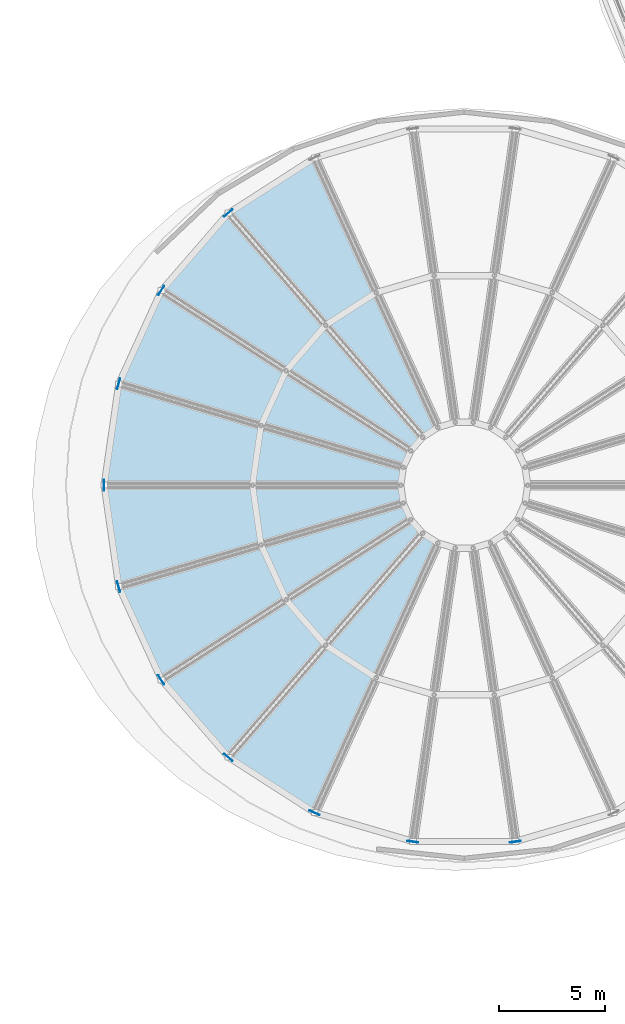
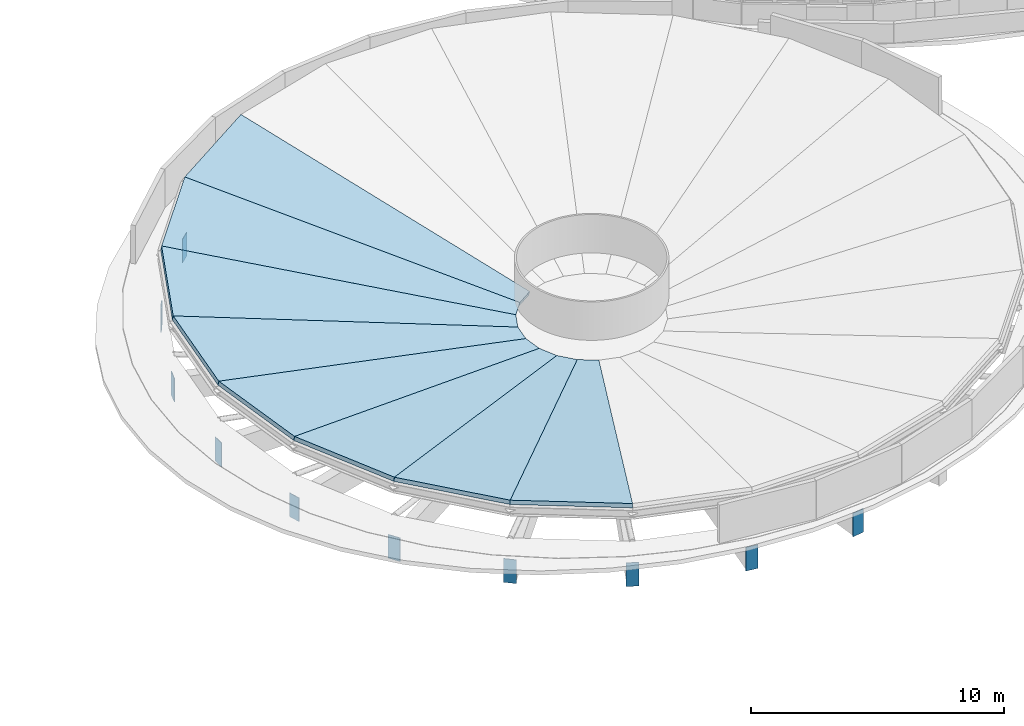
# One storey, part 37 of 69: 10 plates, 8 slabs.
"""IFC4 building model written with IfcOpenShell, lengths in metres."""

from ifc_helpers import new_model, si_unit, direction, frame, origin, origin_2d, place, context, subcontext, project, spatial, polyline, rectangle, outline, extrude, material, layer, layer_set, type_object, element, save


model = new_model("IFC4")

# Units and contexts
model_context = context("Model", 3, precision=1e-05, world=origin(), true_north=direction((0.0, 1.0)))
body_context = subcontext(model_context, "Body", "Model", "MODEL_VIEW")
ifc_project = project(units=[si_unit("LENGTHUNIT", "METRE"), si_unit("AREAUNIT", "SQUARE_METRE"), si_unit("VOLUMEUNIT", "CUBIC_METRE"), si_unit("PLANEANGLEUNIT", "RADIAN"), si_unit("MASSUNIT", "GRAM", prefix="KILO")], contexts=[model_context])

# Site, building, storey
site_placement = place(None, origin())
site = spatial("IfcSite", under=ifc_project, at=site_placement, CompositionType="ELEMENT")
building_placement = place(site_placement, origin())
building = spatial("IfcBuilding", under=site, at=building_placement, Name="Pelvatis Terrace Science Centre", CompositionType="ELEMENT")
storey_placement = place(building_placement, frame((0.0, 0.0, 15.0)))
storey = spatial("IfcBuildingStorey", under=building, at=storey_placement, Name="L03", CompositionType="ELEMENT", Elevation=15.0)

# Plates
ifc_material_1 = material(Name="Structural steel S355", Category="steel")
ifc_layer_1 = layer(ifc_material_1, 1.139892578125)
ifc_layer_set_1 = layer_set([ifc_layer_1], Name="Structural steel S355")
plate_type = type_object("IfcPlateType", Name="PLT-CAP-BOX1100", PredefinedType="USERDEFINED", material=ifc_layer_set_1)
for number, where, z_axis, x_axis, name in (
    (1, (60.988037109375, 54.60009765625, -2.1201171875), (0.0, 0.0, 1.0), (-1.0, 0.0, 0.0), "Hollow box girder end cap plate 038"),
    (2, (61.677001953125, 49.80712890625, -2.1201171875), (0.0, 0.0, 1.0), (-0.959510852267, -0.281671660596, 0.0), "Hollow box girder end cap plate 040"),
    (3, (63.688720703125, 45.402587890625, -2.1201171875), (0.0, 0.0, 1.0), (-0.841227797435, -0.540680860418, 0.0), "Hollow box girder end cap plate 042"),
    (4, (66.859619140625, 41.7431640625, -2.1201171875), (0.0, 0.0, 1.0), (-0.654872725061, -0.755739183826, 0.0), "Hollow box girder end cap plate 044"),
    (5, (70.932861328125, 39.12548828125, -2.1201171875), (0.0, 0.0, 1.0), (-0.415487175664, -0.909599036311, 0.0), "Hollow box girder end cap plate 046"),
    (6, (75.578857421875, 37.760986328125, -2.1201171875), (0.0, 0.0, 1.0), (-0.142283427941, -0.989825957496, 0.0), "Hollow box girder end cap plate 048"),
    (7, (80.421142578125, 37.760986328125, -2.1201171875), (0.0, 0.0, 1.0), (0.142283427941, -0.989825957496, 0.0), "Hollow box girder end cap plate 050"),
    (8, (66.859619140625, 67.456787109375, -2.1201171875), (0.0, 0.0, 1.0), (0.654872725061, -0.755739183826, 0.0), "Hollow box girder end cap plate 053"),
    (9, (63.688720703125, 63.79736328125, -2.1201171875), (0.0, 0.0, 1.0), (0.841227797435, -0.540680860418, 0.0), "Hollow box girder end cap plate 055"),
    (10, (61.677001953125, 59.392822265625, -2.1201171875), (0.0, 0.0, 1.0), (0.959510852267, -0.281671660596, 0.0), "Hollow box girder end cap plate 057"),
):
    element("IfcPlate", number, at=place(storey_placement, frame(where, z_axis=z_axis, x_axis=x_axis)), inside=storey, type_object=plate_type, Name=name, ObjectType="CAP PLATE", PredefinedType="USERDEFINED", context=body_context, shape_type="SweptSolid", body=[
        extrude(rectangle(XDim=0.031982421875, YDim=0.52001953125, at=origin_2d()), origin(), (0.0, 0.0, 1.0), 1.139892578125),
    ])

# Slabs
ifc_material_2 = material(Name="Concrete C35/45", Category="concrete")
ifc_layer_2 = layer(ifc_material_2, 0.18505859375)
ifc_layer_set_2 = layer_set([ifc_layer_2], Name="Concrete C35/45")
slab_type = type_object("IfcSlabType", Name="SLB-BOWL-185", PredefinedType="ROOF", material=ifc_layer_set_2)
slab_1_placement = place(storey_placement, frame((70.93798828125, 70.063720703125, 1.85009765625), z_axis=(0.10884023815, -0.16936459714, 0.979525107282), x_axis=(-0.841255782837, -0.540637316357, -2.39048e-06)))
element("IfcSlab", 11, at=slab_1_placement, inside=storey, type_object=slab_type, Name="Shallow closed bowl roof sector 08", PredefinedType="ROOF", context=body_context, shape_type="SweptSolid", body=[
    extrude(outline(polyline([(0.0, 0.0), (4.838668582032592, 0.0), (2.846317690067832, 14.147172921544419), (1.992274493261145, 14.147240516284777), (0.0, 0.0)])), origin(), (0.0, 0.0, -1.0), 0.18505859375),
])
slab_2_placement = place(storey_placement, frame((66.867431640625, 67.44775390625, 1.85009765625), z_axis=(0.152147664185, -0.131839435017, 0.979525115379), x_axis=(-0.654874572609, -0.75573758286, 1.654486e-06)))
element("IfcSlab", 12, at=slab_2_placement, inside=storey, type_object=slab_type, Name="Shallow closed bowl roof sector 09", PredefinedType="ROOF", context=body_context, shape_type="SweptSolid", body=[
    extrude(outline(polyline([(0.0, 0.0), (4.838636375481672, 0.0), (2.846035966047201, 14.147232875373938), (1.9922573520886493, 14.147186094482315), (0.0, 0.0)])), origin(), (0.0, 0.0, -1.0), 0.18505859375),
])
slab_3_placement = place(storey_placement, frame((63.69873046875, 63.791015625, 1.85009765625), z_axis=(0.183130574926, -0.083630492632, 0.979524952836), x_axis=(-0.415391838368, -0.909642578494, -2.971623e-06)))
element("IfcSlab", 13, at=slab_3_placement, inside=storey, type_object=slab_type, Name="Shallow closed bowl roof sector 10", PredefinedType="ROOF", context=body_context, shape_type="SweptSolid", body=[
    extrude(outline(polyline([(0.0, 0.0), (4.8388347297227154, 0.0), (2.846656063627898, 14.14711189592573), (1.9928627571492017, 14.147195921904757), (0.0, 0.0)])), origin(), (0.0, 0.0, -1.0), 0.18505859375),
])
slab_4_placement = place(storey_placement, frame((61.688720703125, 59.389404296875, 1.85009765625), z_axis=(0.199273015171, -0.028657530108, 0.979524890645), x_axis=(-0.142339872814, -0.989817842133, -1.264876e-06)))
element("IfcSlab", 14, at=slab_4_placement, inside=storey, type_object=slab_type, Name="Shallow closed bowl roof sector 11", PredefinedType="ROOF", context=body_context, shape_type="SweptSolid", body=[
    extrude(outline(polyline([(0.0, 0.0), (4.838573581625961, 1.1102230246251565e-16), (2.845818964784767, 14.147114769729844), (1.9919042611403994, 14.147150534581645), (0.0, 0.0)])), origin(), (0.0, 0.0, -1.0), 0.18505859375),
])
slab_5_placement = place(storey_placement, frame((61.0, 54.60009765625, 1.85009765625), z_axis=(0.199272950337, 0.028656279123, 0.979524940433), x_axis=(0.142332807449, -0.989818858136, 1.477257e-06)))
element("IfcSlab", 15, at=slab_5_placement, inside=storey, type_object=slab_type, Name="Shallow closed bowl roof sector 12", PredefinedType="ROOF", context=body_context, shape_type="SweptSolid", body=[
    extrude(outline(polyline([(0.0, 0.0), (4.838815236504926, 1.1102230246251565e-16), (2.8465698002050077, 14.147170559545408), (1.9926550968416852, 14.147128787703423), (0.0, 0.0)])), origin(), (0.0, 0.0, -1.0), 0.18505859375),
])
slab_6_placement = place(storey_placement, frame((61.688720703125, 49.810546875, 1.85009765625), z_axis=(0.183130574926, 0.083630492632, 0.979524952836), x_axis=(0.415410131009, -0.90963422487, -1.161564e-06)))
element("IfcSlab", 16, at=slab_6_placement, inside=storey, type_object=slab_type, Name="Shallow closed bowl roof sector 13", PredefinedType="ROOF", context=body_context, shape_type="SweptSolid", body=[
    extrude(outline(polyline([(0.0, 0.0), (4.838612650034781, 0.0), (2.84626241599821, 14.147137490697848), (1.9922470293061987, 14.14717033521429), (0.0, 0.0)])), origin(), (0.0, 0.0, -1.0), 0.18505859375),
])
slab_7_placement = place(storey_placement, frame((63.69873046875, 45.4091796875, 1.85009765625), z_axis=(0.152152209072, 0.131835891518, 0.979524886352), x_axis=(0.654849753406, -0.755759088905, -6.77198e-07)))
element("IfcSlab", 17, at=slab_7_placement, inside=storey, type_object=slab_type, Name="Shallow closed bowl roof sector 14", PredefinedType="ROOF", context=body_context, shape_type="SweptSolid", body=[
    extrude(outline(polyline([(0.0, 0.0), (4.838820884320223, -4.440892098500626e-16), (2.846105660962164, 14.147121607857823), (1.9923270459041498, 14.147140756278445), (0.0, 0.0)])), origin(), (0.0, 0.0, -1.0), 0.18505859375),
])
slab_8_placement = place(storey_placement, frame((66.867431640625, 41.752197265625, 1.85009765625), z_axis=(0.10884023815, 0.16936459714, 0.979525107282), x_axis=(0.841255782837, -0.540637316357, 2.39048e-06)))
element("IfcSlab", 18, at=slab_8_placement, inside=storey, type_object=slab_type, Name="Shallow closed bowl roof sector 15", PredefinedType="ROOF", context=body_context, shape_type="SweptSolid", body=[
    extrude(outline(polyline([(0.0, 0.0), (4.838668582032592, 0.0), (2.846394088771448, 14.147240516284777), (1.99235089196476, 14.14717292154442), (0.0, 0.0)])), origin(), (0.0, 0.0, -1.0), 0.18505859375),
])

save(model, "model.ifc")
